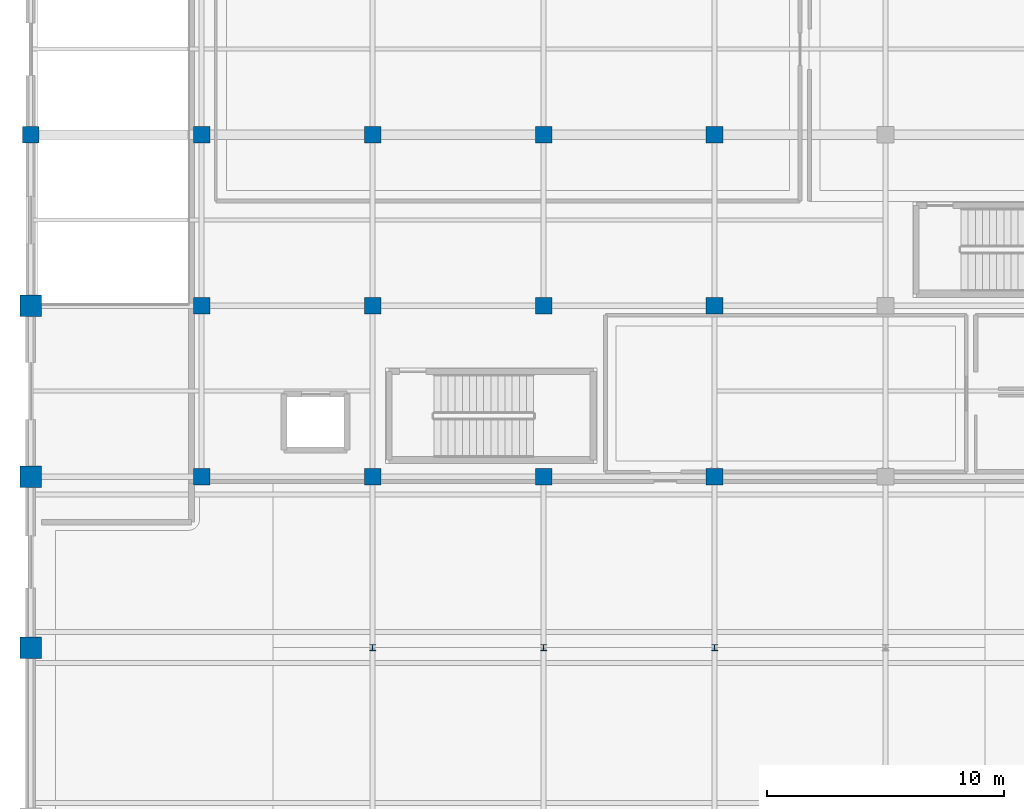
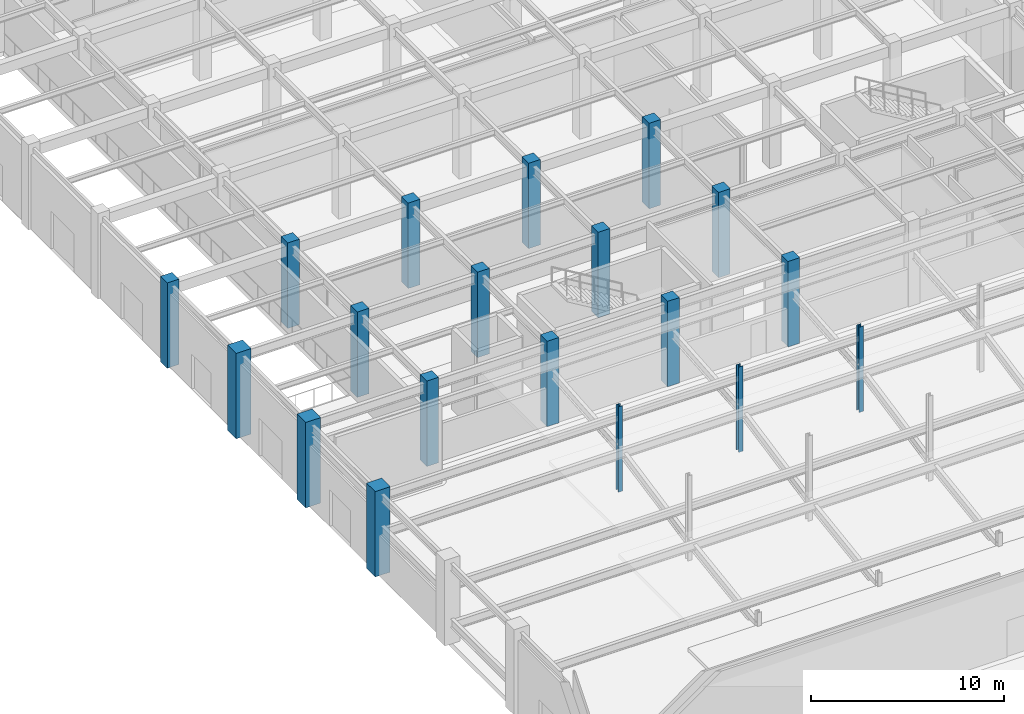
# One storey, part 4 of 102: 19 columns.
"""IFC4 building model written with IfcOpenShell, lengths in metres."""

from ifc_helpers import new_model, si_unit, direction, frame, origin, origin_2d, place, context, subcontext, project, spatial, rectangle, i_section, extrude, material, material_profile, profile_set, type_object, element, save


model = new_model("IFC4")

# Units and contexts
model_context = context("Model", 3, precision=1e-05, world=origin(), true_north=direction((0.0, 1.0)))
body_context = subcontext(model_context, "Body", "Model", "MODEL_VIEW")
ifc_project = project(units=[si_unit("LENGTHUNIT", "METRE"), si_unit("AREAUNIT", "SQUARE_METRE"), si_unit("VOLUMEUNIT", "CUBIC_METRE"), si_unit("PLANEANGLEUNIT", "RADIAN"), si_unit("MASSUNIT", "GRAM", prefix="KILO")], contexts=[model_context])

# Site, building, storey
site_placement = place(None, origin())
site = spatial("IfcSite", under=ifc_project, at=site_placement, CompositionType="ELEMENT")
building_placement = place(site_placement, origin())
building = spatial("IfcBuilding", under=site, at=building_placement, Name="Carrowvane Square Congress Hotel", CompositionType="ELEMENT")
storey_placement = place(building_placement, origin())
storey = spatial("IfcBuildingStorey", under=building, at=storey_placement, Name="L00", CompositionType="ELEMENT", Elevation=0.0)

# Columns
ifc_material_1 = material(Name="Concrete C40/50", Category="concrete")
ifc_material_profile_1 = material_profile(ifc_material_1, rectangle(XDim=0.699951171875, YDim=0.699951171875, at=origin_2d()), Name="RC 700x700")
ifc_profile_set_1 = profile_set([ifc_material_profile_1], Name="Concrete C40/50")
column_type_1 = type_object("IfcColumnType", Name="COL-RC-700", PredefinedType="COLUMN", material=ifc_profile_set_1)
for number, where, z_axis, x_axis, name in (
    (1, (11.60009765625, 63.0, 0.0), (0.0, 0.0, 1.0), (1.0, 0.0, 0.0), "L00 column 1/J"),
    (2, (18.800048828125, 48.60009765625, 0.0), (0.0, 0.0, 1.0), (1.0, 0.0, 0.0), "L00 column 2/G"),
    (3, (18.800048828125, 55.800048828125, 0.0), (0.0, 0.0, 1.0), (1.0, 0.0, 0.0), "L00 column 2/H"),
    (4, (18.800048828125, 63.0, 0.0), (0.0, 0.0, 1.0), (1.0, 0.0, 0.0), "L00 column 2/J"),
    (5, (26.0, 48.60009765625, 0.0), (0.0, 0.0, 1.0), (1.0, 0.0, 0.0), "L00 column 3/G"),
    (6, (26.0, 55.800048828125, 0.0), (0.0, 0.0, 1.0), (1.0, 0.0, 0.0), "L00 column 3/H"),
    (7, (26.0, 63.0, 0.0), (0.0, 0.0, 1.0), (1.0, 0.0, 0.0), "L00 column 3/J"),
    (8, (33.199951171875, 48.60009765625, 0.0), (0.0, 0.0, 1.0), (1.0, 0.0, 0.0), "L00 column 4/G"),
    (9, (33.199951171875, 55.800048828125, 0.0), (0.0, 0.0, 1.0), (1.0, 0.0, 0.0), "L00 column 4/H"),
    (10, (33.199951171875, 63.0, 0.0), (0.0, 0.0, 1.0), (1.0, 0.0, 0.0), "L00 column 4/J"),
    (11, (40.39990234375, 48.60009765625, 0.0), (0.0, 0.0, 1.0), (1.0, 0.0, 0.0), "L00 column 5/G"),
    (12, (40.39990234375, 55.800048828125, 0.0), (0.0, 0.0, 1.0), (1.0, 0.0, 0.0), "L00 column 5/H"),
    (13, (40.39990234375, 63.0, 0.0), (0.0, 0.0, 1.0), (1.0, 0.0, 0.0), "L00 column 5/J"),
):
    element("IfcColumn", number, at=place(storey_placement, frame(where, z_axis=z_axis, x_axis=x_axis)), inside=storey, type_object=column_type_1, Name=name, PredefinedType="COLUMN", context=body_context, shape_type="SweptSolid", body=[
        extrude(rectangle(XDim=0.699951171875, YDim=0.699951171875, at=origin_2d()), origin(), (0.0, 0.0, 1.0), 5.39990234375),
    ])
ifc_material_2 = material(Name="Steel S355", Category="steel")
ifc_material_profile_2 = material_profile(ifc_material_2, i_section(OverallWidth=0.25634765625, OverallDepth=0.26025390625, WebThickness=0.01025390625, FlangeThickness=0.017333984375, FilletRadius=0.0126953125, at=origin_2d()), Name="UKC 254x254x89")
ifc_profile_set_2 = profile_set([ifc_material_profile_2], Name="Steel S355")
column_type_2 = type_object("IfcColumnType", Name="COL-ST-UKC254", PredefinedType="COLUMN", material=ifc_profile_set_2)
for number, where, z_axis, x_axis, name in (
    (14, (26.0, 41.39990234375, 0.0), (0.0, 0.0, 1.0), (1.0, 0.0, 0.0), "L00 column RK26/RY41"),
    (15, (33.199951171875, 41.39990234375, 0.0), (0.0, 0.0, 1.0), (1.0, 0.0, 0.0), "L00 column RK33/RY41"),
    (16, (40.39990234375, 41.39990234375, 0.0), (0.0, 0.0, 1.0), (1.0, 0.0, 0.0), "L00 column RK40/RY41"),
):
    element("IfcColumn", number, at=place(storey_placement, frame(where, z_axis=z_axis, x_axis=x_axis)), inside=storey, type_object=column_type_2, Name=name, PredefinedType="COLUMN", context=body_context, shape_type="SweptSolid", body=[
        extrude(i_section(OverallWidth=0.25634765625, OverallDepth=0.26025390625, WebThickness=0.01025390625, FlangeThickness=0.017333984375, FilletRadius=0.0126953125, at=origin_2d()), origin(), (0.0, 0.0, 1.0), 5.39990234375),
    ])
ifc_material_3 = material(Name="Concrete C40/50", Category="concrete")
ifc_material_profile_3 = material_profile(ifc_material_3, rectangle(XDim=0.89990234375, YDim=0.89990234375, at=origin_2d()), Name="RC 900x900")
ifc_profile_set_3 = profile_set([ifc_material_profile_3], Name="Concrete C40/50")
column_type_3 = type_object("IfcColumnType", Name="MCOL-RC-900", PredefinedType="COLUMN", material=ifc_profile_set_3)
for number, where, z_axis, x_axis, name in (
    (17, (11.60009765625, 41.39990234375, 0.0), (0.0, 0.0, 1.0), (1.0, 0.0, 0.0), "L00 column 1/F"),
    (18, (11.60009765625, 48.60009765625, 0.0), (0.0, 0.0, 1.0), (1.0, 0.0, 0.0), "L00 column 1/G"),
    (19, (11.60009765625, 55.800048828125, 0.0), (0.0, 0.0, 1.0), (1.0, 0.0, 0.0), "L00 column 1/H"),
):
    element("IfcColumn", number, at=place(storey_placement, frame(where, z_axis=z_axis, x_axis=x_axis)), inside=storey, type_object=column_type_3, Name=name, PredefinedType="COLUMN", context=body_context, shape_type="SweptSolid", body=[
        extrude(rectangle(XDim=0.89990234375, YDim=0.89990234375, at=origin_2d()), origin(), (0.0, 0.0, 1.0), 5.39990234375),
    ])

save(model, "model.ifc")
